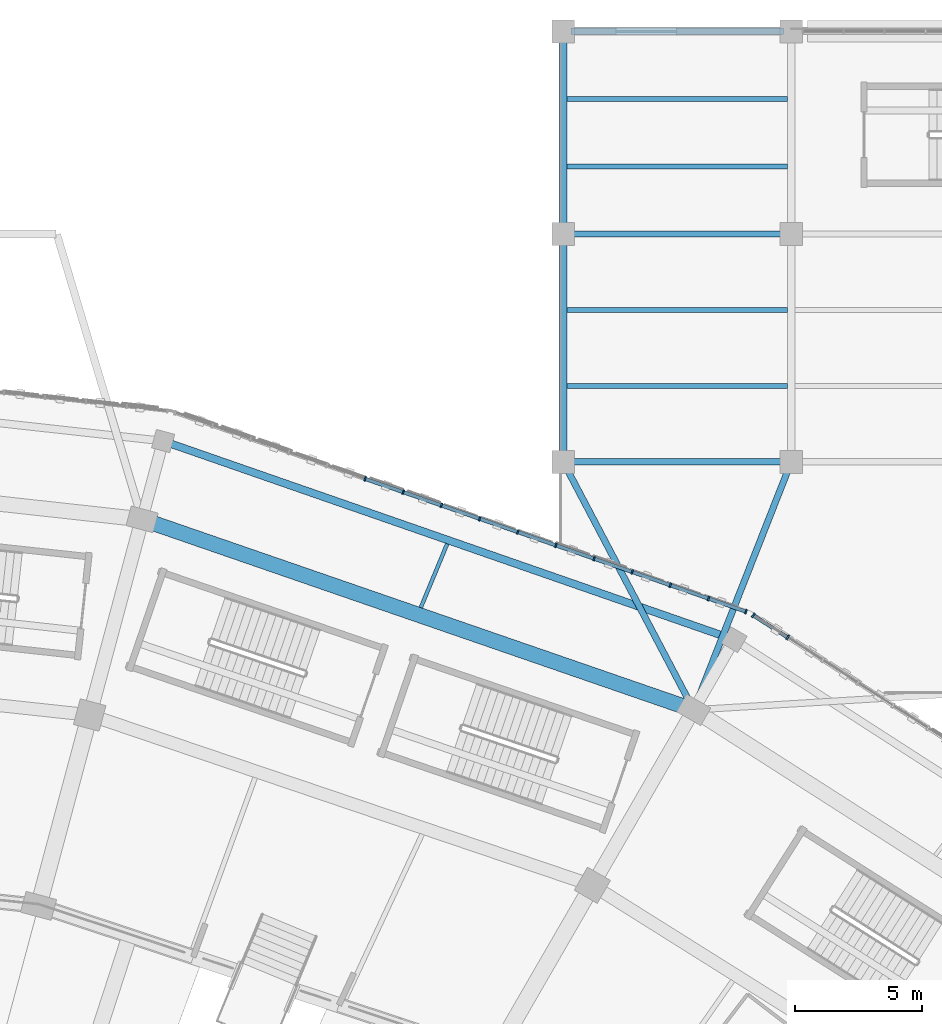
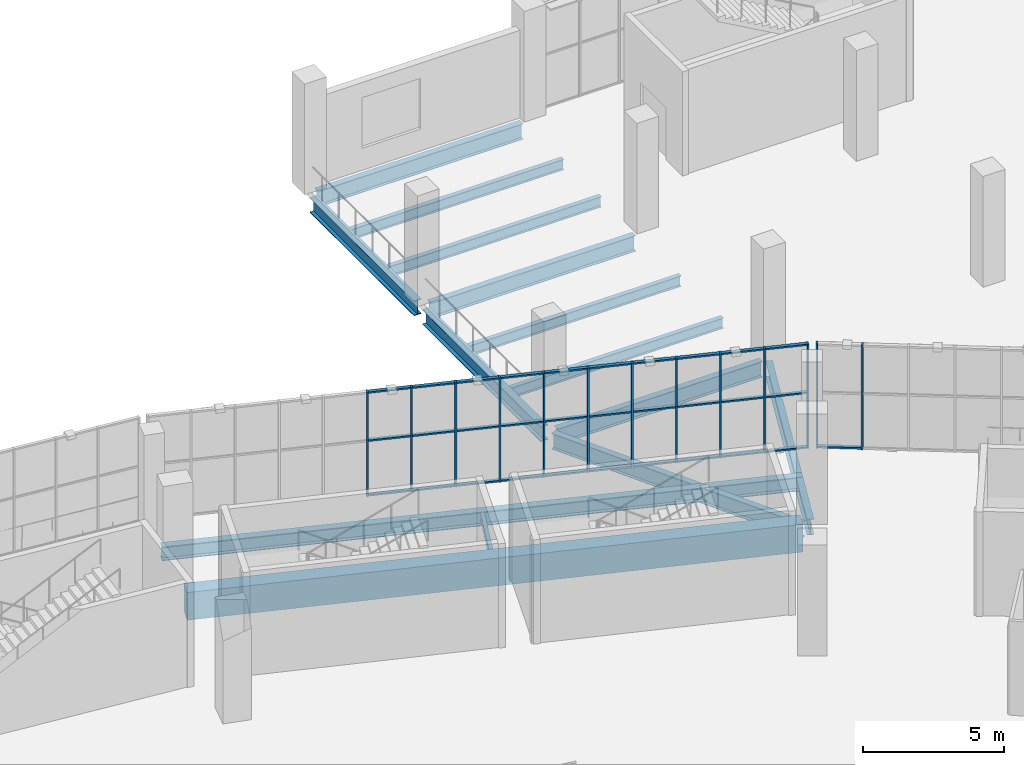
# One storey, part 65 of 183: 44 members, 14 beams, 2 elements without a shape of their own.
"""IFC4 building model written with IfcOpenShell, lengths in metres."""

import ifcopenshell
import ifcopenshell.guid

model = None  # the IFC model being written
_history = None  # IfcOwnerHistory: only IFC2X3 demands one
_inside = {}  # id of a spatial element -> (the spatial element, [elements in it])
_under = {}  # id of a project, library or spatial element -> (it, [spatial elements below it])
_declared = {}  # id of a project -> (the project, [libraries it declares])
_typed = {}  # id of a type object -> (the type object, [elements of that type])
_made_of = {}  # id of a material, layer set ... -> (it, [elements and type objects made of it])


def new_model(schema):
    """Start an empty IFC model of exactly this schema.

    Asked for "IFC4X3", IfcOpenShell would pick the latest addendum, in which some entities
    have other attributes; the version numbers below select the first issue.
    IFC2X3 requires an IfcOwnerHistory on every rooted entity: one is made here for all.
    """
    global model, _history
    if schema == "IFC4X3":
        model = ifcopenshell.file(schema_version=(4, 3, 0, 0))
    else:
        model = ifcopenshell.file(schema=schema)
    _inside.clear()
    _under.clear()
    _declared.clear()
    _typed.clear()
    _made_of.clear()
    _history = None
    if model.schema == "IFC2X3":
        org = make("IfcOrganization", Name="unknown")
        user = make(
            "IfcPersonAndOrganization",
            ThePerson=make("IfcPerson", FamilyName="unknown"),
            TheOrganization=org,
        )
        app = make(
            "IfcApplication",
            ApplicationDeveloper=org,
            Version="unknown",
            ApplicationFullName="unknown",
            ApplicationIdentifier="unknown",
        )
        _history = make(
            "IfcOwnerHistory",
            OwningUser=user,
            OwningApplication=app,
            ChangeAction="ADDED",
            CreationDate=0,
        )
    return model


def make(cls, **values):
    """One entity of the class cls with the attributes given. An attribute that is None is left unset."""
    return model.create_entity(
        cls, **{name: value for name, value in values.items() if value is not None}
    )


def rooted(cls, **values):
    """An entity with a GlobalId (a new one), such as an element, a storey or a relation."""
    return make(cls, GlobalId=ifcopenshell.guid.new(), OwnerHistory=_history, **values)


def si_unit(unit_type, name, prefix=None):
    """IfcSIUnit, for example si_unit("LENGTHUNIT", "METRE", prefix="MILLI")."""
    return make("IfcSIUnit", UnitType=unit_type, Prefix=prefix, Name=name)


def assignment(units):
    """IfcUnitAssignment: the units of a project."""
    return None if units is None else make("IfcUnitAssignment", Units=units)


def point(xyz):
    """IfcCartesianPoint."""
    return None if xyz is None else make("IfcCartesianPoint", Coordinates=xyz)


def direction(xyz):
    """IfcDirection."""
    return None if xyz is None else make("IfcDirection", DirectionRatios=xyz)


def frame(location, z_axis=None, x_axis=None):
    """IfcAxis2Placement3D, a coordinate frame: its origin and axes. An axis left out is left unset."""
    return make(
        "IfcAxis2Placement3D",
        Location=point(location),
        Axis=direction(z_axis),
        RefDirection=direction(x_axis),
    )


def frame_2d(location, x_axis=None):
    """IfcAxis2Placement2D, a coordinate frame in the plane: its origin and x axis."""
    return make(
        "IfcAxis2Placement2D", Location=point(location), RefDirection=direction(x_axis)
    )


def origin():
    """The frame at (0, 0, 0) with its axes left unset."""
    return frame((0.0, 0.0, 0.0))


def origin_2d():
    """The frame at (0, 0) in the plane with its x axis left unset."""
    return frame_2d((0.0, 0.0))


def place(relative_to, where):
    """IfcLocalPlacement: puts the frame where relative to a parent placement (None: the world)."""
    return make(
        "IfcLocalPlacement", PlacementRelTo=relative_to, RelativePlacement=where
    )


def context(
    kind, dimensions, precision=None, world=None, true_north=None, identifier=None
):
    """IfcGeometricRepresentationContext, for example the 3D "Model" context."""
    return make(
        "IfcGeometricRepresentationContext",
        ContextIdentifier=identifier,
        ContextType=kind,
        CoordinateSpaceDimension=dimensions,
        Precision=precision,
        WorldCoordinateSystem=world,
        TrueNorth=true_north,
    )


def subcontext(parent, identifier, kind, view, scale=None):
    """IfcGeometricRepresentationSubContext, for example "Body" below "Model"."""
    return make(
        "IfcGeometricRepresentationSubContext",
        ContextIdentifier=identifier,
        ContextType=kind,
        ParentContext=parent,
        TargetScale=scale,
        TargetView=view,
    )


def project(units=None, contexts=None):
    """IfcProject with its units and contexts."""
    return rooted(
        "IfcProject",
        Name="project",
        RepresentationContexts=contexts,
        UnitsInContext=assignment(units),
    )


def spatial(cls, under=None, at=None, **own):
    """A site, building, storey or space (cls), placed at a placement, below another one or the project."""
    s = rooted(cls, ObjectPlacement=at, **own)
    if under is not None:
        _under.setdefault(under.id(), (under, []))[1].append(s)
    return s


def profile(cls, at=None, kind="AREA", **sizes):
    """A parametric profile (cls). Its sizes go by their IFC names, for example OverallWidth=200.0."""
    return make(cls, ProfileType=kind, Position=at, **sizes)


def rectangle(**sizes):
    """IfcRectangleProfileDef."""
    return profile("IfcRectangleProfileDef", **sizes)


def i_section(**sizes):
    """IfcIShapeProfileDef."""
    return profile("IfcIShapeProfileDef", **sizes)


def extrude(swept, where, along, depth):
    """IfcExtrudedAreaSolid: the profile swept, set in the frame where, extruded along a direction by depth."""
    return make(
        "IfcExtrudedAreaSolid",
        SweptArea=swept,
        Position=where,
        ExtrudedDirection=direction(along),
        Depth=depth,
    )


def shape(context_of_items, identifier, shape_type, items):
    """IfcShapeRepresentation: the items that make up one representation, for example the "Body"."""
    return make(
        "IfcShapeRepresentation",
        ContextOfItems=context_of_items,
        RepresentationIdentifier=identifier,
        RepresentationType=shape_type,
        Items=items,
    )


def material(Name=None, Category=None):
    """IfcMaterial."""
    return make("IfcMaterial", Name=Name, Category=Category)


def material_profile(
    of_material, cross_section, Name=None, Category=None, Priority=None
):
    """IfcMaterialProfile: a cross section and its material."""
    return make(
        "IfcMaterialProfile",
        Name=Name,
        Material=of_material,
        Profile=cross_section,
        Priority=Priority,
        Category=Category,
    )


def profile_set(profiles, Name=None, composite=None):
    """IfcMaterialProfileSet."""
    return make(
        "IfcMaterialProfileSet",
        Name=Name,
        MaterialProfiles=profiles,
        CompositeProfile=composite,
    )


def made_of(thing, what):
    """Note that an element or type object is made of a material, layer set ...; save() writes the relation."""
    if what is not None:
        _made_of.setdefault(what.id(), (what, []))[1].append(thing)
    return thing


def type_object(cls, material=None, **own):
    """A type object (cls), such as IfcWallType, which elements share."""
    return made_of(rooted(cls, **own), material)


def element(
    cls,
    number,
    at=None,
    inside=None,
    cuts=None,
    type_object=None,
    material=None,
    context=None,
    identifier="Body",
    shape_type=None,
    held_by="IfcProductDefinitionShape",
    body=None,
    shapes=None,
    **own,
):
    """One element of the class cls, such as IfcWall. Its Tag is "e" and its number.

    at: its placement. inside: the storey or other place that contains it. cuts: it is an
    opening in that element (IfcRelVoidsElement). A single representation is given by context,
    identifier, shape_type and body (its items); several are given by shapes. held_by: the class
    of the entity that holds the representations. save() writes the other relations.
    """
    e = rooted(cls, Tag="e%d" % number, ObjectPlacement=at, **own)
    if body is not None:
        shapes = [shape(context, identifier, shape_type, body)]
    if shapes is not None:
        e.Representation = make(held_by, Representations=shapes)
    if inside is not None:
        _inside.setdefault(inside.id(), (inside, []))[1].append(e)
    if cuts is not None:
        rooted(
            "IfcRelVoidsElement", RelatingBuildingElement=cuts, RelatedOpeningElement=e
        )
    if type_object is not None:
        _typed.setdefault(type_object.id(), (type_object, []))[1].append(e)
    return made_of(e, material)


def aggregate(whole, parts):
    """IfcRelAggregates: a whole, such as a stair, and the parts it consists of."""
    return rooted("IfcRelAggregates", RelatingObject=whole, RelatedObjects=parts)


def save(model, path):
    """Write the relations noted so far, then the file.

    IfcRelAggregates (storeys below a building ...), IfcRelContainedInSpatialStructure (elements
    in a storey), IfcRelDefinesByType, IfcRelAssociatesMaterial and IfcRelDeclares: one each for
    every whole, place, type object, material and project.
    """
    for whole, parts in _under.values():
        aggregate(whole, parts)
    for where, things in _inside.values():
        rooted(
            "IfcRelContainedInSpatialStructure",
            RelatedElements=things,
            RelatingStructure=where,
        )
    for kind, things in _typed.values():
        rooted("IfcRelDefinesByType", RelatedObjects=things, RelatingType=kind)
    for what, things in _made_of.values():
        rooted("IfcRelAssociatesMaterial", RelatedObjects=things, RelatingMaterial=what)
    for by, libraries in _declared.values():
        rooted("IfcRelDeclares", RelatingContext=by, RelatedDefinitions=libraries)
    model.write(path)


model = new_model("IFC4")

# Units and contexts
model_context = context("Model", 3, precision=1e-05, world=origin(), true_north=direction((0.0, 1.0)))
body_context = subcontext(model_context, "Body", "Model", "MODEL_VIEW")
ifc_project = project(units=[si_unit("LENGTHUNIT", "METRE"), si_unit("AREAUNIT", "SQUARE_METRE"), si_unit("VOLUMEUNIT", "CUBIC_METRE"), si_unit("PLANEANGLEUNIT", "RADIAN"), si_unit("MASSUNIT", "GRAM", prefix="KILO")], contexts=[model_context])

# Site, building, storey
site_placement = place(None, origin())
site = spatial("IfcSite", under=ifc_project, at=site_placement, CompositionType="ELEMENT")
building_placement = place(site_placement, origin())
building = spatial("IfcBuilding", under=site, at=building_placement, Name="Zevraka Park Crest Stadium", CompositionType="ELEMENT")
storey_placement = place(building_placement, frame((0.0, 0.0, 5.39990234375)))
storey = spatial("IfcBuildingStorey", under=building, at=storey_placement, Name="L01", CompositionType="ELEMENT", Elevation=5.39990234375)

# Beams
ifc_material_1 = material(Name="Steel S355", Category="steel")
ifc_material_profile_1 = material_profile(ifc_material_1, i_section(OverallWidth=0.253662109375, OverallDepth=0.68359375, WebThickness=0.012451171875, FlangeThickness=0.01904296875, at=origin_2d()), Name="UKB 686x254x140")
ifc_profile_set_1 = profile_set([ifc_material_profile_1], Name="Steel S355")
beam_type_1 = type_object("IfcBeamType", Name="BG05", PredefinedType="BEAM", material=ifc_profile_set_1)
beam_1_placement = place(storey_placement, frame((152.300048828125, 167.0, -0.649658203125), z_axis=(1.0, 0.0, 0.0), x_axis=(0.0, 1.0, 0.0)))
element("IfcBeam", 1, at=beam_1_placement, inside=storey, type_object=beam_type_1, Name="Wing Girder BG05 L01-1718/U", PredefinedType="BEAM", context=body_context, shape_type="SweptSolid", body=[
    extrude(i_section(OverallWidth=0.253662109375, OverallDepth=0.68359375, WebThickness=0.012451171875, FlangeThickness=0.01904296875, at=origin_2d()), origin(), (0.0, 0.0, 1.0), 8.39990234375),
])
beam_2_placement = place(storey_placement, frame((152.093017578125, 166.822998046875, -0.649658203125), z_axis=(0.465623535035, -0.884982894536, 0.0), x_axis=(0.884982894536, 0.465623535035, 0.0)))
element("IfcBeam", 2, at=beam_2_placement, inside=storey, type_object=beam_type_1, Name="Wing Link Girder BG05 L01-17/U", PredefinedType="BEAM", context=body_context, shape_type="SweptSolid", body=[
    extrude(i_section(OverallWidth=0.253662109375, OverallDepth=0.68359375, WebThickness=0.012451171875, FlangeThickness=0.01904296875, at=origin_2d()), origin(), (0.0, 0.0, 1.0), 10.480224609375),
])
for number, where, z_axis, x_axis, name in (
    (3, (152.300048828125, 176.0, -0.649658203125), (1.0, 0.0, 0.0), (0.0, 1.0, 0.0), "Wing Girder BG05 L01-1718/V"),
    (4, (152.300048828125, 184.0, -0.649658203125), (1.0, 0.0, 0.0), (0.0, 1.0, 0.0), "Wing Girder BG05 L01-1718/W"),
):
    element("IfcBeam", number, at=place(storey_placement, frame(where, z_axis=z_axis, x_axis=x_axis)), inside=storey, type_object=beam_type_1, Name=name, PredefinedType="BEAM", context=body_context, shape_type="SweptSolid", body=[
        extrude(i_section(OverallWidth=0.253662109375, OverallDepth=0.68359375, WebThickness=0.012451171875, FlangeThickness=0.01904296875, at=origin_2d()), origin(), (0.0, 0.0, 1.0), 8.39990234375),
    ])
beam_3_placement = place(storey_placement, frame((160.927001953125, 166.81396484375, -0.649658203125), z_axis=(-0.366068857267, -0.930587766812, 0.0), x_axis=(0.930587766812, -0.366068857267, 0.0)))
element("IfcBeam", 5, at=beam_3_placement, inside=storey, type_object=beam_type_1, Name="Wing Link Girder BG05 L01-18/U", PredefinedType="BEAM", context=body_context, shape_type="SweptSolid", body=[
    extrude(i_section(OverallWidth=0.253662109375, OverallDepth=0.68359375, WebThickness=0.012451171875, FlangeThickness=0.01904296875, at=origin_2d()), origin(), (0.0, 0.0, 1.0), 9.937744140625),
])
ifc_material_2 = material(Name="Steel S355", Category="steel")
ifc_material_profile_2 = material_profile(ifc_material_2, i_section(OverallWidth=0.300048828125, OverallDepth=0.64990234375, WebThickness=0.01611328125, FlangeThickness=0.031005859375, at=origin_2d()), Name="HEB 650")
ifc_profile_set_2 = profile_set([ifc_material_profile_2], Name="Steel S355")
beam_type_2 = type_object("IfcBeamType", Name="BG07", PredefinedType="BEAM", material=ifc_profile_set_2)
beam_4_placement = place(storey_placement, frame((152.0, 167.300048828125, -0.6328125), z_axis=(0.0, 1.0, 0.0), x_axis=(-1.0, 0.0, 0.0)))
element("IfcBeam", 6, at=beam_4_placement, inside=storey, type_object=beam_type_2, Name="Wing Girder BG07 L01-17/UV", PredefinedType="BEAM", context=body_context, shape_type="SweptSolid", body=[
    extrude(i_section(OverallWidth=0.300048828125, OverallDepth=0.64990234375, WebThickness=0.01611328125, FlangeThickness=0.031005859375, at=origin_2d()), origin(), (0.0, 0.0, 1.0), 8.39990234375),
])
beam_5_placement = place(storey_placement, frame((152.0, 176.300048828125, -0.6328125), z_axis=(0.0, 1.0, 0.0), x_axis=(-1.0, 0.0, 0.0)))
element("IfcBeam", 7, at=beam_5_placement, inside=storey, type_object=beam_type_2, Name="Wing Girder BG07 L01-17/VW", PredefinedType="BEAM", context=body_context, shape_type="SweptSolid", body=[
    extrude(i_section(OverallWidth=0.300048828125, OverallDepth=0.64990234375, WebThickness=0.01611328125, FlangeThickness=0.031005859375, at=origin_2d()), origin(), (0.0, 0.0, 1.0), 7.39990234375),
])

# Curtain wall, members
ifc_material_3 = material(Name="Anodised architectural aluminium and laminated safety glass", Category="aluminium")
curtain_wall_type_1 = type_object("IfcCurtainWallType", Name="CW02", PredefinedType="NOTDEFINED", material=ifc_material_3)
curtain_wall_1_placement = place(storey_placement, origin())
curtain_wall_1 = element("IfcCurtainWall", 8, at=curtain_wall_1_placement, inside=storey, type_object=curtain_wall_type_1, Name="Unitised Ring Curtain Wall CW02 L01-04", PredefinedType="NOTDEFINED")
ifc_material_4 = material(Name="Anodised architectural aluminium", Category="aluminium")
ifc_material_profile_3 = material_profile(ifc_material_4, rectangle(XDim=0.179931640625, YDim=0.06494140625, at=origin_2d()), Name="ALU MULLION 180x65")
ifc_profile_set_3 = profile_set([ifc_material_profile_3], Name="Anodised architectural aluminium")
member_type_1 = type_object("IfcMemberType", Name="CM02", PredefinedType="MULLION", material=ifc_profile_set_3)
member_1_placement = place(storey_placement, frame((159.210205078125, 161.0908203125, 0.0), z_axis=(0.0, 0.0, 1.0), x_axis=(-0.329209289879, -0.944256979565, 0.0)))
member_1 = element("IfcMember", 9, at=member_1_placement, type_object=member_type_1, Name="CW02 mullion 1", PredefinedType="MULLION", context=body_context, shape_type="SweptSolid", body=[
    extrude(rectangle(XDim=0.179931640625, YDim=0.06494140625, at=origin_2d()), origin(), (0.0, 0.0, 1.0), 4.52001953125),
])
member_2_placement = place(storey_placement, frame((157.734375, 161.605224609375, 0.0), z_axis=(0.0, 0.0, 1.0), x_axis=(-0.329209289879, -0.944256979565, 0.0)))
member_2 = element("IfcMember", 10, at=member_2_placement, type_object=member_type_1, Name="CW02 mullion 2", PredefinedType="MULLION", context=body_context, shape_type="SweptSolid", body=[
    extrude(rectangle(XDim=0.179931640625, YDim=0.06494140625, at=origin_2d()), origin(), (0.0, 0.0, 1.0), 4.52001953125),
])
member_3_placement = place(storey_placement, frame((156.227783203125, 162.130615234375, 0.0), z_axis=(0.0, 0.0, 1.0), x_axis=(-0.329209289879, -0.944256979565, 0.0)))
member_3 = element("IfcMember", 11, at=member_3_placement, type_object=member_type_1, Name="CW02 mullion 3", PredefinedType="MULLION", context=body_context, shape_type="SweptSolid", body=[
    extrude(rectangle(XDim=0.179931640625, YDim=0.06494140625, at=origin_2d()), origin(), (0.0, 0.0, 1.0), 4.52001953125),
])
member_4_placement = place(storey_placement, frame((154.72119140625, 162.65576171875, 0.0), z_axis=(0.0, 0.0, 1.0), x_axis=(-0.329209289879, -0.944256979565, 0.0)))
member_4 = element("IfcMember", 12, at=member_4_placement, type_object=member_type_1, Name="CW02 mullion 4", PredefinedType="MULLION", context=body_context, shape_type="SweptSolid", body=[
    extrude(rectangle(XDim=0.179931640625, YDim=0.06494140625, at=origin_2d()), origin(), (0.0, 0.0, 1.0), 4.52001953125),
])
member_5_placement = place(storey_placement, frame((153.214599609375, 163.18115234375, 0.0), z_axis=(0.0, 0.0, 1.0), x_axis=(-0.329209289879, -0.944256979565, 0.0)))
member_5 = element("IfcMember", 13, at=member_5_placement, type_object=member_type_1, Name="CW02 mullion 5", PredefinedType="MULLION", context=body_context, shape_type="SweptSolid", body=[
    extrude(rectangle(XDim=0.179931640625, YDim=0.06494140625, at=origin_2d()), origin(), (0.0, 0.0, 1.0), 4.52001953125),
])
member_6_placement = place(storey_placement, frame((151.7080078125, 163.706298828125, 0.0), z_axis=(0.0, 0.0, 1.0), x_axis=(-0.329209289879, -0.944256979565, 0.0)))
member_6 = element("IfcMember", 14, at=member_6_placement, type_object=member_type_1, Name="CW02 mullion 6", PredefinedType="MULLION", context=body_context, shape_type="SweptSolid", body=[
    extrude(rectangle(XDim=0.179931640625, YDim=0.06494140625, at=origin_2d()), origin(), (0.0, 0.0, 1.0), 4.52001953125),
])
member_7_placement = place(storey_placement, frame((150.201416015625, 164.231689453125, 0.0), z_axis=(0.0, 0.0, 1.0), x_axis=(-0.329209289879, -0.944256979565, 0.0)))
member_7 = element("IfcMember", 15, at=member_7_placement, type_object=member_type_1, Name="CW02 mullion 7", PredefinedType="MULLION", context=body_context, shape_type="SweptSolid", body=[
    extrude(rectangle(XDim=0.179931640625, YDim=0.06494140625, at=origin_2d()), origin(), (0.0, 0.0, 1.0), 4.52001953125),
])
member_8_placement = place(storey_placement, frame((148.69482421875, 164.7568359375, 0.0), z_axis=(0.0, 0.0, 1.0), x_axis=(-0.329209289879, -0.944256979565, 0.0)))
member_8 = element("IfcMember", 16, at=member_8_placement, type_object=member_type_1, Name="CW02 mullion 8", PredefinedType="MULLION", context=body_context, shape_type="SweptSolid", body=[
    extrude(rectangle(XDim=0.179931640625, YDim=0.06494140625, at=origin_2d()), origin(), (0.0, 0.0, 1.0), 4.52001953125),
])
member_9_placement = place(storey_placement, frame((147.188232421875, 165.2822265625, 0.0), z_axis=(0.0, 0.0, 1.0), x_axis=(-0.329209289879, -0.944256979565, 0.0)))
member_9 = element("IfcMember", 17, at=member_9_placement, type_object=member_type_1, Name="CW02 mullion 9", PredefinedType="MULLION", context=body_context, shape_type="SweptSolid", body=[
    extrude(rectangle(XDim=0.179931640625, YDim=0.06494140625, at=origin_2d()), origin(), (0.0, 0.0, 1.0), 4.52001953125),
])
member_10_placement = place(storey_placement, frame((145.681640625, 165.807373046875, 0.0), z_axis=(0.0, 0.0, 1.0), x_axis=(-0.329209289879, -0.944256979565, 0.0)))
member_10 = element("IfcMember", 18, at=member_10_placement, type_object=member_type_1, Name="CW02 mullion 10", PredefinedType="MULLION", context=body_context, shape_type="SweptSolid", body=[
    extrude(rectangle(XDim=0.179931640625, YDim=0.06494140625, at=origin_2d()), origin(), (0.0, 0.0, 1.0), 4.52001953125),
])
member_11_placement = place(storey_placement, frame((144.175048828125, 166.332763671875, 0.0), z_axis=(0.0, 0.0, 1.0), x_axis=(-0.329209289879, -0.944256979565, 0.0)))
member_11 = element("IfcMember", 19, at=member_11_placement, type_object=member_type_1, Name="CW02 mullion 11", PredefinedType="MULLION", context=body_context, shape_type="SweptSolid", body=[
    extrude(rectangle(XDim=0.179931640625, YDim=0.06494140625, at=origin_2d()), origin(), (0.0, 0.0, 1.0), 4.52001953125),
])

ifc_material_5 = material(Name="Anodised architectural aluminium and laminated safety glass", Category="aluminium")
curtain_wall_type_2 = type_object("IfcCurtainWallType", Name="CW03", PredefinedType="NOTDEFINED", material=ifc_material_5)
curtain_wall_2_placement = place(storey_placement, origin())
curtain_wall_2 = element("IfcCurtainWall", 20, at=curtain_wall_2_placement, inside=storey, type_object=curtain_wall_type_2, Name="Unitised Ring Curtain Wall CW03 L01-03", PredefinedType="NOTDEFINED")
ifc_material_6 = material(Name="Anodised architectural aluminium", Category="aluminium")
ifc_material_profile_4 = material_profile(ifc_material_6, rectangle(XDim=0.199951171875, YDim=0.070068359375, at=origin_2d()), Name="ALU MULLION 200x70")
ifc_profile_set_4 = profile_set([ifc_material_profile_4], Name="Anodised architectural aluminium")
member_type_2 = type_object("IfcMemberType", Name="CM03", PredefinedType="MULLION", material=ifc_profile_set_4)
member_12_placement = place(storey_placement, frame((160.859619140625, 160.071044921875, 0.0), z_axis=(0.0, 0.0, 1.0), x_axis=(-0.542570628938, -0.840010186018, 0.0)))
member_12 = element("IfcMember", 21, at=member_12_placement, type_object=member_type_2, Name="CW03 mullion 14", PredefinedType="MULLION", context=body_context, shape_type="SweptSolid", body=[
    extrude(rectangle(XDim=0.199951171875, YDim=0.070068359375, at=origin_2d()), origin(), (0.0, 0.0, 1.0), 4.52001953125),
])
member_13_placement = place(storey_placement, frame((159.50341796875, 160.947021484375, 0.0), z_axis=(0.0, 0.0, 1.0), x_axis=(-0.542570628938, -0.840010186018, 0.0)))
member_13 = element("IfcMember", 22, at=member_13_placement, type_object=member_type_2, Name="CW03 mullion 15", PredefinedType="MULLION", context=body_context, shape_type="SweptSolid", body=[
    extrude(rectangle(XDim=0.199951171875, YDim=0.070068359375, at=origin_2d()), origin(), (0.0, 0.0, 1.0), 4.52001953125),
])

# Member
ifc_material_7 = material(Name="Anodised architectural aluminium", Category="aluminium")
ifc_material_profile_5 = material_profile(ifc_material_7, rectangle(XDim=0.139892578125, YDim=0.06494140625, at=origin_2d()), Name="ALU TRANSOM 140x65")
ifc_profile_set_5 = profile_set([ifc_material_profile_5], Name="Anodised architectural aluminium")
member_type_3 = type_object("IfcMemberType", Name="CT02", PredefinedType="USERDEFINED", material=ifc_profile_set_5)
member_14_placement = place(storey_placement, frame((159.1796875, 161.101318359375, 0.03271484375), z_axis=(-0.944259100234, 0.329203207192, 0.0), x_axis=(-0.329203207192, -0.944259100234, 0.0)))
member_14 = element("IfcMember", 23, at=member_14_placement, type_object=member_type_3, Name="CW02 transom 1.1", ObjectType="TRANSOM", PredefinedType="USERDEFINED", context=body_context, shape_type="SweptSolid", body=[
    extrude(rectangle(XDim=0.139892578125, YDim=0.06494140625, at=origin_2d()), origin(), (0.0, 0.0, 1.0), 1.498046875),
])

member_15_placement = place(storey_placement, frame((159.1796875, 161.101318359375, 2.400146484375), z_axis=(-0.944259100234, 0.329203207192, 0.0), x_axis=(-0.329203207192, -0.944259100234, 0.0)))
member_15 = element("IfcMember", 24, at=member_15_placement, type_object=member_type_3, Name="CW02 transom 1.2", ObjectType="TRANSOM", PredefinedType="USERDEFINED", context=body_context, shape_type="SweptSolid", body=[
    extrude(rectangle(XDim=0.139892578125, YDim=0.06494140625, at=origin_2d()), origin(), (0.0, 0.0, 1.0), 1.498046875),
])

member_16_placement = place(storey_placement, frame((159.1796875, 161.101318359375, 4.487548828125), z_axis=(-0.944259100234, 0.329203207192, 0.0), x_axis=(-0.329203207192, -0.944259100234, 0.0)))
member_16 = element("IfcMember", 25, at=member_16_placement, type_object=member_type_3, Name="CW02 transom 1.3", ObjectType="TRANSOM", PredefinedType="USERDEFINED", context=body_context, shape_type="SweptSolid", body=[
    extrude(rectangle(XDim=0.139892578125, YDim=0.06494140625, at=origin_2d()), origin(), (0.0, 0.0, 1.0), 1.498046875),
])

member_17_placement = place(storey_placement, frame((157.70361328125, 161.615966796875, 0.03271484375), z_axis=(-0.944238249242, 0.329263008352, 0.0), x_axis=(-0.329263008352, -0.944238249242, 0.0)))
member_17 = element("IfcMember", 26, at=member_17_placement, type_object=member_type_3, Name="CW02 transom 2.1", ObjectType="TRANSOM", PredefinedType="USERDEFINED", context=body_context, shape_type="SweptSolid", body=[
    extrude(rectangle(XDim=0.139892578125, YDim=0.06494140625, at=origin_2d()), origin(), (0.0, 0.0, 1.0), 1.530517578125),
])

member_18_placement = place(storey_placement, frame((157.70361328125, 161.615966796875, 2.400146484375), z_axis=(-0.944238249242, 0.329263008352, 0.0), x_axis=(-0.329263008352, -0.944238249242, 0.0)))
member_18 = element("IfcMember", 27, at=member_18_placement, type_object=member_type_3, Name="CW02 transom 2.2", ObjectType="TRANSOM", PredefinedType="USERDEFINED", context=body_context, shape_type="SweptSolid", body=[
    extrude(rectangle(XDim=0.139892578125, YDim=0.06494140625, at=origin_2d()), origin(), (0.0, 0.0, 1.0), 1.530517578125),
])

member_19_placement = place(storey_placement, frame((157.70361328125, 161.615966796875, 4.487548828125), z_axis=(-0.944238249242, 0.329263008352, 0.0), x_axis=(-0.329263008352, -0.944238249242, 0.0)))
member_19 = element("IfcMember", 28, at=member_19_placement, type_object=member_type_3, Name="CW02 transom 2.3", ObjectType="TRANSOM", PredefinedType="USERDEFINED", context=body_context, shape_type="SweptSolid", body=[
    extrude(rectangle(XDim=0.139892578125, YDim=0.06494140625, at=origin_2d()), origin(), (0.0, 0.0, 1.0), 1.530517578125),
])

member_20_placement = place(storey_placement, frame((156.197021484375, 162.14111328125, 0.03271484375), z_axis=(-0.944238249242, 0.329263008352, 0.0), x_axis=(-0.329263008352, -0.944238249242, 0.0)))
member_20 = element("IfcMember", 29, at=member_20_placement, type_object=member_type_3, Name="CW02 transom 3.1", ObjectType="TRANSOM", PredefinedType="USERDEFINED", context=body_context, shape_type="SweptSolid", body=[
    extrude(rectangle(XDim=0.139892578125, YDim=0.06494140625, at=origin_2d()), origin(), (0.0, 0.0, 1.0), 1.530517578125),
])

member_21_placement = place(storey_placement, frame((156.197021484375, 162.14111328125, 2.400146484375), z_axis=(-0.944238249242, 0.329263008352, 0.0), x_axis=(-0.329263008352, -0.944238249242, 0.0)))
member_21 = element("IfcMember", 30, at=member_21_placement, type_object=member_type_3, Name="CW02 transom 3.2", ObjectType="TRANSOM", PredefinedType="USERDEFINED", context=body_context, shape_type="SweptSolid", body=[
    extrude(rectangle(XDim=0.139892578125, YDim=0.06494140625, at=origin_2d()), origin(), (0.0, 0.0, 1.0), 1.530517578125),
])

member_22_placement = place(storey_placement, frame((156.197021484375, 162.14111328125, 4.487548828125), z_axis=(-0.944238249242, 0.329263008352, 0.0), x_axis=(-0.329263008352, -0.944238249242, 0.0)))
member_22 = element("IfcMember", 31, at=member_22_placement, type_object=member_type_3, Name="CW02 transom 3.3", ObjectType="TRANSOM", PredefinedType="USERDEFINED", context=body_context, shape_type="SweptSolid", body=[
    extrude(rectangle(XDim=0.139892578125, YDim=0.06494140625, at=origin_2d()), origin(), (0.0, 0.0, 1.0), 1.530517578125),
])

member_23_placement = place(storey_placement, frame((154.6904296875, 162.66650390625, 0.03271484375), z_axis=(-0.944238249242, 0.329263008352, 0.0), x_axis=(-0.329263008352, -0.944238249242, 0.0)))
member_23 = element("IfcMember", 32, at=member_23_placement, type_object=member_type_3, Name="CW02 transom 4.1", ObjectType="TRANSOM", PredefinedType="USERDEFINED", context=body_context, shape_type="SweptSolid", body=[
    extrude(rectangle(XDim=0.139892578125, YDim=0.06494140625, at=origin_2d()), origin(), (0.0, 0.0, 1.0), 1.530517578125),
])

member_24_placement = place(storey_placement, frame((154.6904296875, 162.66650390625, 2.400146484375), z_axis=(-0.944238249242, 0.329263008352, 0.0), x_axis=(-0.329263008352, -0.944238249242, 0.0)))
member_24 = element("IfcMember", 33, at=member_24_placement, type_object=member_type_3, Name="CW02 transom 4.2", ObjectType="TRANSOM", PredefinedType="USERDEFINED", context=body_context, shape_type="SweptSolid", body=[
    extrude(rectangle(XDim=0.139892578125, YDim=0.06494140625, at=origin_2d()), origin(), (0.0, 0.0, 1.0), 1.530517578125),
])

member_25_placement = place(storey_placement, frame((154.6904296875, 162.66650390625, 4.487548828125), z_axis=(-0.944238249242, 0.329263008352, 0.0), x_axis=(-0.329263008352, -0.944238249242, 0.0)))
member_25 = element("IfcMember", 34, at=member_25_placement, type_object=member_type_3, Name="CW02 transom 4.3", ObjectType="TRANSOM", PredefinedType="USERDEFINED", context=body_context, shape_type="SweptSolid", body=[
    extrude(rectangle(XDim=0.139892578125, YDim=0.06494140625, at=origin_2d()), origin(), (0.0, 0.0, 1.0), 1.530517578125),
])

member_26_placement = place(storey_placement, frame((153.183837890625, 163.191650390625, 0.03271484375), z_axis=(-0.944238249242, 0.329263008352, 0.0), x_axis=(-0.329263008352, -0.944238249242, 0.0)))
member_26 = element("IfcMember", 35, at=member_26_placement, type_object=member_type_3, Name="CW02 transom 5.1", ObjectType="TRANSOM", PredefinedType="USERDEFINED", context=body_context, shape_type="SweptSolid", body=[
    extrude(rectangle(XDim=0.139892578125, YDim=0.06494140625, at=origin_2d()), origin(), (0.0, 0.0, 1.0), 1.530517578125),
])

member_27_placement = place(storey_placement, frame((153.183837890625, 163.191650390625, 2.400146484375), z_axis=(-0.944238249242, 0.329263008352, 0.0), x_axis=(-0.329263008352, -0.944238249242, 0.0)))
member_27 = element("IfcMember", 36, at=member_27_placement, type_object=member_type_3, Name="CW02 transom 5.2", ObjectType="TRANSOM", PredefinedType="USERDEFINED", context=body_context, shape_type="SweptSolid", body=[
    extrude(rectangle(XDim=0.139892578125, YDim=0.06494140625, at=origin_2d()), origin(), (0.0, 0.0, 1.0), 1.530517578125),
])

member_28_placement = place(storey_placement, frame((153.183837890625, 163.191650390625, 4.487548828125), z_axis=(-0.944238249242, 0.329263008352, 0.0), x_axis=(-0.329263008352, -0.944238249242, 0.0)))
member_28 = element("IfcMember", 37, at=member_28_placement, type_object=member_type_3, Name="CW02 transom 5.3", ObjectType="TRANSOM", PredefinedType="USERDEFINED", context=body_context, shape_type="SweptSolid", body=[
    extrude(rectangle(XDim=0.139892578125, YDim=0.06494140625, at=origin_2d()), origin(), (0.0, 0.0, 1.0), 1.530517578125),
])

member_29_placement = place(storey_placement, frame((151.67724609375, 163.717041015625, 0.03271484375), z_axis=(-0.944238249242, 0.329263008352, 0.0), x_axis=(-0.329263008352, -0.944238249242, 0.0)))
member_29 = element("IfcMember", 38, at=member_29_placement, type_object=member_type_3, Name="CW02 transom 6.1", ObjectType="TRANSOM", PredefinedType="USERDEFINED", context=body_context, shape_type="SweptSolid", body=[
    extrude(rectangle(XDim=0.139892578125, YDim=0.06494140625, at=origin_2d()), origin(), (0.0, 0.0, 1.0), 1.530517578125),
])

member_30_placement = place(storey_placement, frame((151.67724609375, 163.717041015625, 2.400146484375), z_axis=(-0.944238249242, 0.329263008352, 0.0), x_axis=(-0.329263008352, -0.944238249242, 0.0)))
member_30 = element("IfcMember", 39, at=member_30_placement, type_object=member_type_3, Name="CW02 transom 6.2", ObjectType="TRANSOM", PredefinedType="USERDEFINED", context=body_context, shape_type="SweptSolid", body=[
    extrude(rectangle(XDim=0.139892578125, YDim=0.06494140625, at=origin_2d()), origin(), (0.0, 0.0, 1.0), 1.530517578125),
])

member_31_placement = place(storey_placement, frame((151.67724609375, 163.717041015625, 4.487548828125), z_axis=(-0.944238249242, 0.329263008352, 0.0), x_axis=(-0.329263008352, -0.944238249242, 0.0)))
member_31 = element("IfcMember", 40, at=member_31_placement, type_object=member_type_3, Name="CW02 transom 6.3", ObjectType="TRANSOM", PredefinedType="USERDEFINED", context=body_context, shape_type="SweptSolid", body=[
    extrude(rectangle(XDim=0.139892578125, YDim=0.06494140625, at=origin_2d()), origin(), (0.0, 0.0, 1.0), 1.530517578125),
])

member_32_placement = place(storey_placement, frame((150.170654296875, 164.2421875, 0.03271484375), z_axis=(-0.944238249242, 0.329263008352, 0.0), x_axis=(-0.329263008352, -0.944238249242, 0.0)))
member_32 = element("IfcMember", 41, at=member_32_placement, type_object=member_type_3, Name="CW02 transom 7.1", ObjectType="TRANSOM", PredefinedType="USERDEFINED", context=body_context, shape_type="SweptSolid", body=[
    extrude(rectangle(XDim=0.139892578125, YDim=0.06494140625, at=origin_2d()), origin(), (0.0, 0.0, 1.0), 1.530517578125),
])

member_33_placement = place(storey_placement, frame((150.170654296875, 164.2421875, 2.400146484375), z_axis=(-0.944238249242, 0.329263008352, 0.0), x_axis=(-0.329263008352, -0.944238249242, 0.0)))
member_33 = element("IfcMember", 42, at=member_33_placement, type_object=member_type_3, Name="CW02 transom 7.2", ObjectType="TRANSOM", PredefinedType="USERDEFINED", context=body_context, shape_type="SweptSolid", body=[
    extrude(rectangle(XDim=0.139892578125, YDim=0.06494140625, at=origin_2d()), origin(), (0.0, 0.0, 1.0), 1.530517578125),
])

member_34_placement = place(storey_placement, frame((150.170654296875, 164.2421875, 4.487548828125), z_axis=(-0.944238249242, 0.329263008352, 0.0), x_axis=(-0.329263008352, -0.944238249242, 0.0)))
member_34 = element("IfcMember", 43, at=member_34_placement, type_object=member_type_3, Name="CW02 transom 7.3", ObjectType="TRANSOM", PredefinedType="USERDEFINED", context=body_context, shape_type="SweptSolid", body=[
    extrude(rectangle(XDim=0.139892578125, YDim=0.06494140625, at=origin_2d()), origin(), (0.0, 0.0, 1.0), 1.530517578125),
])

member_35_placement = place(storey_placement, frame((148.6640625, 164.767578125, 0.03271484375), z_axis=(-0.944238249242, 0.329263008352, 0.0), x_axis=(-0.329263008352, -0.944238249242, 0.0)))
member_35 = element("IfcMember", 44, at=member_35_placement, type_object=member_type_3, Name="CW02 transom 8.1", ObjectType="TRANSOM", PredefinedType="USERDEFINED", context=body_context, shape_type="SweptSolid", body=[
    extrude(rectangle(XDim=0.139892578125, YDim=0.06494140625, at=origin_2d()), origin(), (0.0, 0.0, 1.0), 1.530517578125),
])

member_36_placement = place(storey_placement, frame((148.6640625, 164.767578125, 2.400146484375), z_axis=(-0.944238249242, 0.329263008352, 0.0), x_axis=(-0.329263008352, -0.944238249242, 0.0)))
member_36 = element("IfcMember", 45, at=member_36_placement, type_object=member_type_3, Name="CW02 transom 8.2", ObjectType="TRANSOM", PredefinedType="USERDEFINED", context=body_context, shape_type="SweptSolid", body=[
    extrude(rectangle(XDim=0.139892578125, YDim=0.06494140625, at=origin_2d()), origin(), (0.0, 0.0, 1.0), 1.530517578125),
])

member_37_placement = place(storey_placement, frame((148.6640625, 164.767578125, 4.487548828125), z_axis=(-0.944238249242, 0.329263008352, 0.0), x_axis=(-0.329263008352, -0.944238249242, 0.0)))
member_37 = element("IfcMember", 46, at=member_37_placement, type_object=member_type_3, Name="CW02 transom 8.3", ObjectType="TRANSOM", PredefinedType="USERDEFINED", context=body_context, shape_type="SweptSolid", body=[
    extrude(rectangle(XDim=0.139892578125, YDim=0.06494140625, at=origin_2d()), origin(), (0.0, 0.0, 1.0), 1.530517578125),
])

member_38_placement = place(storey_placement, frame((147.157470703125, 165.292724609375, 0.03271484375), z_axis=(-0.944238249242, 0.329263008352, 0.0), x_axis=(-0.329263008352, -0.944238249242, 0.0)))
member_38 = element("IfcMember", 47, at=member_38_placement, type_object=member_type_3, Name="CW02 transom 9.1", ObjectType="TRANSOM", PredefinedType="USERDEFINED", context=body_context, shape_type="SweptSolid", body=[
    extrude(rectangle(XDim=0.139892578125, YDim=0.06494140625, at=origin_2d()), origin(), (0.0, 0.0, 1.0), 1.530517578125),
])

member_39_placement = place(storey_placement, frame((147.157470703125, 165.292724609375, 2.400146484375), z_axis=(-0.944238249242, 0.329263008352, 0.0), x_axis=(-0.329263008352, -0.944238249242, 0.0)))
member_39 = element("IfcMember", 48, at=member_39_placement, type_object=member_type_3, Name="CW02 transom 9.2", ObjectType="TRANSOM", PredefinedType="USERDEFINED", context=body_context, shape_type="SweptSolid", body=[
    extrude(rectangle(XDim=0.139892578125, YDim=0.06494140625, at=origin_2d()), origin(), (0.0, 0.0, 1.0), 1.530517578125),
])

member_40_placement = place(storey_placement, frame((147.157470703125, 165.292724609375, 4.487548828125), z_axis=(-0.944238249242, 0.329263008352, 0.0), x_axis=(-0.329263008352, -0.944238249242, 0.0)))
member_40 = element("IfcMember", 49, at=member_40_placement, type_object=member_type_3, Name="CW02 transom 9.3", ObjectType="TRANSOM", PredefinedType="USERDEFINED", context=body_context, shape_type="SweptSolid", body=[
    extrude(rectangle(XDim=0.139892578125, YDim=0.06494140625, at=origin_2d()), origin(), (0.0, 0.0, 1.0), 1.530517578125),
])

member_41_placement = place(storey_placement, frame((145.65087890625, 165.818115234375, 0.03271484375), z_axis=(-0.944255540278, 0.329213418097, 0.0), x_axis=(-0.329213418097, -0.944255540278, 0.0)))
member_41 = element("IfcMember", 50, at=member_41_placement, type_object=member_type_3, Name="CW02 transom 10.1", ObjectType="TRANSOM", PredefinedType="USERDEFINED", context=body_context, shape_type="SweptSolid", body=[
    extrude(rectangle(XDim=0.139892578125, YDim=0.06494140625, at=origin_2d()), origin(), (0.0, 0.0, 1.0), 1.530517578125),
])

member_42_placement = place(storey_placement, frame((145.65087890625, 165.818115234375, 2.400146484375), z_axis=(-0.944255540278, 0.329213418097, 0.0), x_axis=(-0.329213418097, -0.944255540278, 0.0)))
member_42 = element("IfcMember", 51, at=member_42_placement, type_object=member_type_3, Name="CW02 transom 10.2", ObjectType="TRANSOM", PredefinedType="USERDEFINED", context=body_context, shape_type="SweptSolid", body=[
    extrude(rectangle(XDim=0.139892578125, YDim=0.06494140625, at=origin_2d()), origin(), (0.0, 0.0, 1.0), 1.530517578125),
])

member_43_placement = place(storey_placement, frame((145.65087890625, 165.818115234375, 4.487548828125), z_axis=(-0.944255540278, 0.329213418097, 0.0), x_axis=(-0.329213418097, -0.944255540278, 0.0)))
member_43 = element("IfcMember", 52, at=member_43_placement, type_object=member_type_3, Name="CW02 transom 10.3", ObjectType="TRANSOM", PredefinedType="USERDEFINED", context=body_context, shape_type="SweptSolid", body=[
    extrude(rectangle(XDim=0.139892578125, YDim=0.06494140625, at=origin_2d()), origin(), (0.0, 0.0, 1.0), 1.530517578125),
])

aggregate(curtain_wall_1, [member_1, member_2, member_3, member_4, member_5, member_6, member_7, member_8, member_9, member_10, member_11, member_14, member_15, member_16, member_17, member_18, member_19, member_20, member_21, member_22, member_23, member_24, member_25, member_26, member_27, member_28, member_29, member_30, member_31, member_32, member_33, member_34, member_35, member_36, member_37, member_38, member_39, member_40, member_41, member_42, member_43])

ifc_material_8 = material(Name="Anodised architectural aluminium", Category="aluminium")
ifc_material_profile_6 = material_profile(ifc_material_8, rectangle(XDim=0.14990234375, YDim=0.070068359375, at=origin_2d()), Name="ALU TRANSOM 150x70")
ifc_profile_set_6 = profile_set([ifc_material_profile_6], Name="Anodised architectural aluminium")
member_type_4 = type_object("IfcMemberType", Name="CT03", PredefinedType="USERDEFINED", material=ifc_profile_set_6)
member_44_placement = place(storey_placement, frame((160.830322265625, 160.090087890625, 0.03515625), z_axis=(-0.840082895717, 0.542458042916, 0.0), x_axis=(-0.542458042916, -0.840082895717, 0.0)))
member_44 = element("IfcMember", 53, at=member_44_placement, type_object=member_type_4, Name="CW03 transom 14.1", ObjectType="TRANSOM", PredefinedType="USERDEFINED", context=body_context, shape_type="SweptSolid", body=[
    extrude(rectangle(XDim=0.14990234375, YDim=0.070068359375, at=origin_2d()), origin(), (0.0, 0.0, 1.0), 1.544677734375),
])

aggregate(curtain_wall_2, [member_12, member_13, member_44])

# Beams
ifc_material_9 = material(Name="Concrete C40/50", Category="concrete")
ifc_material_profile_7 = material_profile(ifc_material_9, rectangle(XDim=0.60009765625, YDim=1.199951171875, at=origin_2d()), Name="RC 1200x600")
ifc_profile_set_7 = profile_set([ifc_material_profile_7], Name="Concrete C40/50")
beam_type_3 = type_object("IfcBeamType", Name="RB01", PredefinedType="BEAM", material=ifc_profile_set_7)
beam_6_placement = place(storey_placement, frame((156.791015625, 157.3359375, -0.60986328125), z_axis=(-0.945210431582, 0.326461697644, 0.0), x_axis=(-0.326461697644, -0.945210431582, 0.0)))
element("IfcBeam", 54, at=beam_6_placement, inside=storey, type_object=beam_type_3, Name="Ring Beam RB01 L01-D-04", PredefinedType="BEAM", context=body_context, shape_type="SweptSolid", body=[
    extrude(rectangle(XDim=0.60009765625, YDim=1.199951171875, at=origin_2d()), origin(), (0.0, 0.0, 1.0), 22.28173828125),
])
ifc_material_10 = material(Name="Steel S355", Category="steel")
ifc_material_profile_8 = material_profile(ifc_material_10, i_section(OverallWidth=0.300048828125, OverallDepth=0.60009765625, WebThickness=0.015380859375, FlangeThickness=0.030029296875, at=origin_2d()), Name="HEB 600")
ifc_profile_set_8 = profile_set([ifc_material_profile_8], Name="Steel S355")
beam_type_4 = type_object("IfcBeamType", Name="RB03", PredefinedType="BEAM", material=ifc_profile_set_8)
beam_7_placement = place(storey_placement, frame((158.4189453125, 160.097900390625, -0.60498046875), z_axis=(-0.944512003331, 0.328476902634, 0.0), x_axis=(-0.328476902634, -0.944512003331, 0.0)))
element("IfcBeam", 55, at=beam_7_placement, inside=storey, type_object=beam_type_4, Name="Ring Beam RB03 L01-E-04", PredefinedType="BEAM", context=body_context, shape_type="SweptSolid", body=[
    extrude(i_section(OverallWidth=0.300048828125, OverallDepth=0.60009765625, WebThickness=0.015380859375, FlangeThickness=0.030029296875, at=origin_2d()), origin(), (0.0, 0.0, 1.0), 23.173828125),
])
ifc_material_11 = material(Name="Steel S355", Category="steel")
ifc_material_profile_9 = material_profile(ifc_material_11, i_section(OverallWidth=0.14990234375, OverallDepth=0.300048828125, WebThickness=0.007080078125, FlangeThickness=0.0107421875, at=origin_2d()), Name="IPE 300")
ifc_profile_set_9 = profile_set([ifc_material_profile_9], Name="Steel S355")
beam_type_5 = type_object("IfcBeamType", Name="SJ01", PredefinedType="JOIST", material=ifc_profile_set_9)
beam_8_placement = place(storey_placement, frame((146.373046875, 161.24609375, -0.4580078125), z_axis=(0.3828253139, 0.923820750491, 0.0), x_axis=(-0.923820750491, 0.3828253139, 0.0)))
element("IfcBeam", 56, at=beam_8_placement, inside=storey, type_object=beam_type_5, Name="Floor Joist SJ01 L01-DE-04-1", PredefinedType="JOIST", context=body_context, shape_type="SweptSolid", body=[
    extrude(i_section(OverallWidth=0.14990234375, OverallDepth=0.300048828125, WebThickness=0.007080078125, FlangeThickness=0.0107421875, at=origin_2d()), origin(), (0.0, 0.0, 1.0), 2.73193359375),
])
ifc_material_12 = material(Name="Steel S355", Category="steel")
ifc_material_profile_10 = material_profile(ifc_material_12, i_section(OverallWidth=0.18994140625, OverallDepth=0.45703125, WebThickness=0.009033203125, FlangeThickness=0.014404296875, at=origin_2d()), Name="UKB 457x191x74")
ifc_profile_set_10 = profile_set([ifc_material_profile_10], Name="Steel S355")
beam_type_6 = type_object("IfcBeamType", Name="SJ12", PredefinedType="JOIST", material=ifc_profile_set_10)
for number, where, z_axis, x_axis, name in (
    (57, (152.14501953125, 170.0, -0.538330078125), (1.0, 0.0, 0.0), (0.0, 1.0, 0.0), "Wing Joist SJ12 L01-17/U-1"),
    (58, (152.14501953125, 173.0, -0.538330078125), (1.0, 0.0, 0.0), (0.0, 1.0, 0.0), "Wing Joist SJ12 L01-17/U-2"),
    (59, (152.14501953125, 178.6669921875, -0.538330078125), (1.0, 0.0, 0.0), (0.0, 1.0, 0.0), "Wing Joist SJ12 L01-17/V-1"),
    (60, (152.14501953125, 181.3330078125, -0.538330078125), (1.0, 0.0, 0.0), (0.0, 1.0, 0.0), "Wing Joist SJ12 L01-17/V-2"),
):
    element("IfcBeam", number, at=place(storey_placement, frame(where, z_axis=z_axis, x_axis=x_axis)), inside=storey, type_object=beam_type_6, Name=name, PredefinedType="JOIST", context=body_context, shape_type="SweptSolid", body=[
        extrude(i_section(OverallWidth=0.18994140625, OverallDepth=0.45703125, WebThickness=0.009033203125, FlangeThickness=0.014404296875, at=origin_2d()), origin(), (0.0, 0.0, 1.0), 8.7099609375),
    ])

save(model, "model.ifc")
